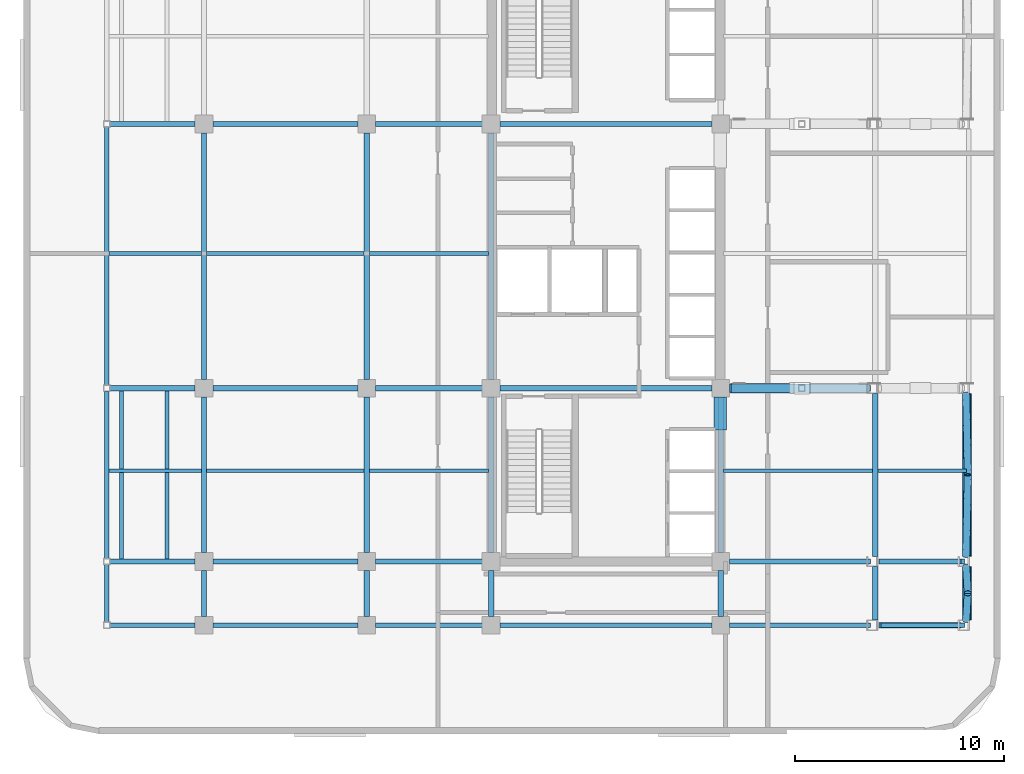
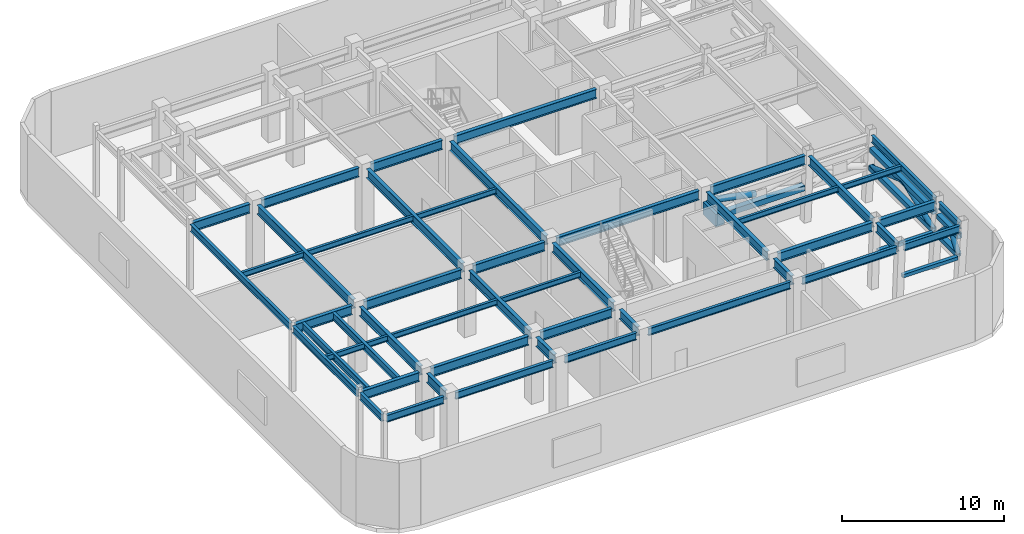
# One storey, part 4 of 14: 49 beams, 12 members.
"""IFC4 building model written with IfcOpenShell, lengths in metres."""

from ifc_helpers import new_model, si_unit, direction, frame, origin, origin_2d, place, context, subcontext, project, spatial, rectangle, hollow_rectangle, hollow_circle, i_section, extrude, material, material_profile, profile_set, type_object, element, save


model = new_model("IFC4")

# Units and contexts
model_context = context("Model", 3, precision=1e-05, world=origin(), true_north=direction((0.0, 1.0)))
body_context = subcontext(model_context, "Body", "Model", "MODEL_VIEW")
ifc_project = project(units=[si_unit("LENGTHUNIT", "METRE"), si_unit("AREAUNIT", "SQUARE_METRE"), si_unit("VOLUMEUNIT", "CUBIC_METRE"), si_unit("PLANEANGLEUNIT", "RADIAN"), si_unit("MASSUNIT", "GRAM", prefix="KILO")], contexts=[model_context])

# Site, building, storey
site_placement = place(None, origin())
site = spatial("IfcSite", under=ifc_project, at=site_placement, CompositionType="ELEMENT")
building_placement = place(site_placement, origin())
building = spatial("IfcBuilding", under=site, at=building_placement, Name="Ochreholt Gables", CompositionType="ELEMENT")
storey_placement = place(building_placement, frame((0.0, 0.0, 71.39990234375)))
storey = spatial("IfcBuildingStorey", under=building, at=storey_placement, Name="L18", CompositionType="ELEMENT", Elevation=71.39990234375)

# Beams
ifc_material_1 = material(Name="Concrete 60 MPa", Category="concrete")
ifc_material_profile_1 = material_profile(ifc_material_1, rectangle(XDim=0.60009765625, YDim=0.949951171875, at=origin_2d()), Name="RCB600X950")
ifc_profile_set_1 = profile_set([ifc_material_profile_1], Name="Concrete 60 MPa")
beam_type_1 = type_object("IfcBeamType", Name="BM-CPL-RC600", PredefinedType="LINTEL", material=ifc_profile_set_1)
beam_1_placement = place(storey_placement, frame((35.175048828125, 15.550048828125, 3.822021484375), z_axis=(0.0, 1.0, 0.0), x_axis=(-1.0, 0.0, 0.0)))
element("IfcBeam", 1, at=beam_1_placement, inside=storey, type_object=beam_type_1, Name="L18 Core Coupling Lintel CPS", PredefinedType="LINTEL", context=body_context, shape_type="SweptSolid", body=[
    extrude(rectangle(XDim=0.60009765625, YDim=0.949951171875, at=origin_2d()), origin(), (0.0, 0.0, 1.0), 1.574951171875),
])
ifc_material_2 = material(Name="Steel CSA G40.21 350W", Category="steel")
ifc_material_profile_2 = material_profile(ifc_material_2, i_section(OverallWidth=0.2109375, OverallDepth=0.5390625, WebThickness=0.01171875, FlangeThickness=0.018798828125, at=origin_2d()), Name="W530X109")
ifc_profile_set_2 = profile_set([ifc_material_profile_2], Name="Steel CSA G40.21 350W")
beam_type_2 = type_object("IfcBeamType", Name="BM-G-W530A", PredefinedType="BEAM", material=ifc_profile_set_2)
for number, where, z_axis, x_axis, name in (
    (2, (6.5, 9.377685546875, 4.720703125), (0.0, 1.0, 0.0), (-1.0, 0.0, 0.0), "L18 Beam BTG-L18-19W1R"),
    (3, (8.679931640625, 9.377685546875, 4.720703125), (0.0, 1.0, 0.0), (-1.0, 0.0, 0.0), "L18 Beam BTG-L18-19W1E"),
):
    element("IfcBeam", number, at=place(storey_placement, frame(where, z_axis=z_axis, x_axis=x_axis)), inside=storey, type_object=beam_type_2, Name=name, PredefinedType="BEAM", context=body_context, shape_type="SweptSolid", body=[
        extrude(i_section(OverallWidth=0.2109375, OverallDepth=0.5390625, WebThickness=0.01171875, FlangeThickness=0.018798828125, at=origin_2d()), origin(), (0.0, 0.0, 1.0), 8.044677734375),
    ])
ifc_material_profile_3 = material_profile(ifc_material_2, i_section(OverallWidth=0.256103515625, OverallDepth=0.693115234375, WebThickness=0.014404296875, FlangeThickness=0.023681640625, at=origin_2d()), Name="W690X170")
ifc_profile_set_3 = profile_set([ifc_material_profile_3], Name="Steel CSA G40.21 350W")
beam_type_3 = type_object("IfcBeamType", Name="BM-G-W690", PredefinedType="BEAM", material=ifc_profile_set_3)
beam_2_placement = place(storey_placement, frame((5.9521484375, 9.25, 4.6435546875), z_axis=(1.0, 0.0, 0.0), x_axis=(0.0, 1.0, 0.0)))
element("IfcBeam", 4, at=beam_2_placement, inside=storey, type_object=beam_type_3, Name="L18 Beam TBG-L18-WTW2-Y2", PredefinedType="BEAM", context=body_context, shape_type="SweptSolid", body=[
    extrude(i_section(OverallWidth=0.256103515625, OverallDepth=0.693115234375, WebThickness=0.014404296875, FlangeThickness=0.023681640625, at=origin_2d()), origin(), (0.0, 0.0, 1.0), 4.0732421875),
])
beam_3_placement = place(storey_placement, frame((10.87451171875, 9.25, 4.6435546875), z_axis=(1.0, 0.0, 0.0), x_axis=(0.0, 1.0, 0.0)))
element("IfcBeam", 5, at=beam_3_placement, inside=storey, type_object=beam_type_3, Name="L18 Beam TBG-L18-W2W3-Y2", PredefinedType="BEAM", context=body_context, shape_type="SweptSolid", body=[
    extrude(i_section(OverallWidth=0.256103515625, OverallDepth=0.693115234375, WebThickness=0.014404296875, FlangeThickness=0.023681640625, at=origin_2d()), origin(), (0.0, 0.0, 1.0), 6.950927734375),
])
beam_4_placement = place(storey_placement, frame((18.674560546875, 9.25, 4.6435546875), z_axis=(1.0, 0.0, 0.0), x_axis=(0.0, 1.0, 0.0)))
element("IfcBeam", 6, at=beam_4_placement, inside=storey, type_object=beam_type_3, Name="L18 Beam TBG-L18-W3C1-Y2", PredefinedType="BEAM", context=body_context, shape_type="SweptSolid", body=[
    extrude(i_section(OverallWidth=0.256103515625, OverallDepth=0.693115234375, WebThickness=0.014404296875, FlangeThickness=0.023681640625, at=origin_2d()), origin(), (0.0, 0.0, 1.0), 5.100830078125),
])
beam_5_placement = place(storey_placement, frame((35.62451171875, 9.25, 4.6435546875), z_axis=(1.0, 0.0, 0.0), x_axis=(0.0, 1.0, 0.0)))
element("IfcBeam", 7, at=beam_5_placement, inside=storey, type_object=beam_type_3, Name="L18 Beam TBG-L18-C2EM-Y2", PredefinedType="BEAM", context=body_context, shape_type="SweptSolid", body=[
    extrude(i_section(OverallWidth=0.256103515625, OverallDepth=0.693115234375, WebThickness=0.014404296875, FlangeThickness=0.023681640625, at=origin_2d()), origin(), (0.0, 0.0, 1.0), 6.75),
])
beam_6_placement = place(storey_placement, frame((42.87353515625, 9.25, 4.6435546875), z_axis=(1.0, 0.0, 0.0), x_axis=(0.0, 1.0, 0.0)))
element("IfcBeam", 8, at=beam_6_placement, inside=storey, type_object=beam_type_3, Name="L18 Beam TBG-L18-EMEE-Y2", PredefinedType="BEAM", context=body_context, shape_type="SweptSolid", body=[
    extrude(i_section(OverallWidth=0.256103515625, OverallDepth=0.693115234375, WebThickness=0.014404296875, FlangeThickness=0.023681640625, at=origin_2d()), origin(), (0.0, 0.0, 1.0), 3.988037109375),
])
beam_7_placement = place(storey_placement, frame((5.9521484375, 17.550048828125, 4.6435546875), z_axis=(1.0, 0.0, 0.0), x_axis=(0.0, 1.0, 0.0)))
element("IfcBeam", 9, at=beam_7_placement, inside=storey, type_object=beam_type_3, Name="L18 Beam TBG-L18-WTW2-Y3", PredefinedType="BEAM", context=body_context, shape_type="SweptSolid", body=[
    extrude(i_section(OverallWidth=0.256103515625, OverallDepth=0.693115234375, WebThickness=0.014404296875, FlangeThickness=0.023681640625, at=origin_2d()), origin(), (0.0, 0.0, 1.0), 4.0732421875),
])
beam_8_placement = place(storey_placement, frame((10.87451171875, 17.550048828125, 4.6435546875), z_axis=(1.0, 0.0, 0.0), x_axis=(0.0, 1.0, 0.0)))
element("IfcBeam", 10, at=beam_8_placement, inside=storey, type_object=beam_type_3, Name="L18 Beam TBG-L18-W2W3-Y3", PredefinedType="BEAM", context=body_context, shape_type="SweptSolid", body=[
    extrude(i_section(OverallWidth=0.256103515625, OverallDepth=0.693115234375, WebThickness=0.014404296875, FlangeThickness=0.023681640625, at=origin_2d()), origin(), (0.0, 0.0, 1.0), 6.950927734375),
])
beam_9_placement = place(storey_placement, frame((18.674560546875, 17.550048828125, 4.6435546875), z_axis=(1.0, 0.0, 0.0), x_axis=(0.0, 1.0, 0.0)))
element("IfcBeam", 11, at=beam_9_placement, inside=storey, type_object=beam_type_3, Name="L18 Beam TBG-L18-W3C1-Y3", PredefinedType="BEAM", context=body_context, shape_type="SweptSolid", body=[
    extrude(i_section(OverallWidth=0.256103515625, OverallDepth=0.693115234375, WebThickness=0.014404296875, FlangeThickness=0.023681640625, at=origin_2d()), origin(), (0.0, 0.0, 1.0), 5.100830078125),
])
beam_10_placement = place(storey_placement, frame((24.62451171875, 17.550048828125, 4.6435546875), z_axis=(1.0, 0.0, 0.0), x_axis=(0.0, 1.0, 0.0)))
element("IfcBeam", 12, at=beam_10_placement, inside=storey, type_object=beam_type_3, Name="L18 Beam TBG-L18-C1C2-Y3", PredefinedType="BEAM", context=body_context, shape_type="SweptSolid", body=[
    extrude(i_section(OverallWidth=0.256103515625, OverallDepth=0.693115234375, WebThickness=0.014404296875, FlangeThickness=0.023681640625, at=origin_2d()), origin(), (0.0, 0.0, 1.0), 10.15087890625),
])
beam_11_placement = place(storey_placement, frame((35.62451171875, 17.550048828125, 4.6435546875), z_axis=(1.0, 0.0, 0.0), x_axis=(0.0, 1.0, 0.0)))
element("IfcBeam", 13, at=beam_11_placement, inside=storey, type_object=beam_type_3, Name="L18 Beam TBG-L18-C2EM-Y3", PredefinedType="BEAM", context=body_context, shape_type="SweptSolid", body=[
    extrude(i_section(OverallWidth=0.256103515625, OverallDepth=0.693115234375, WebThickness=0.014404296875, FlangeThickness=0.023681640625, at=origin_2d()), origin(), (0.0, 0.0, 1.0), 6.75),
])
beam_12_placement = place(storey_placement, frame((5.9521484375, 30.199951171875, 4.6435546875), z_axis=(1.0, 0.0, 0.0), x_axis=(0.0, 1.0, 0.0)))
element("IfcBeam", 14, at=beam_12_placement, inside=storey, type_object=beam_type_3, Name="L18 Beam TBG-L18-WTW2-Y4", PredefinedType="BEAM", context=body_context, shape_type="SweptSolid", body=[
    extrude(i_section(OverallWidth=0.256103515625, OverallDepth=0.693115234375, WebThickness=0.014404296875, FlangeThickness=0.023681640625, at=origin_2d()), origin(), (0.0, 0.0, 1.0), 4.0732421875),
])
beam_13_placement = place(storey_placement, frame((10.87451171875, 30.199951171875, 4.6435546875), z_axis=(1.0, 0.0, 0.0), x_axis=(0.0, 1.0, 0.0)))
element("IfcBeam", 15, at=beam_13_placement, inside=storey, type_object=beam_type_3, Name="L18 Beam TBG-L18-W2W3-Y4", PredefinedType="BEAM", context=body_context, shape_type="SweptSolid", body=[
    extrude(i_section(OverallWidth=0.256103515625, OverallDepth=0.693115234375, WebThickness=0.014404296875, FlangeThickness=0.023681640625, at=origin_2d()), origin(), (0.0, 0.0, 1.0), 6.950927734375),
])
beam_14_placement = place(storey_placement, frame((18.674560546875, 30.199951171875, 4.6435546875), z_axis=(1.0, 0.0, 0.0), x_axis=(0.0, 1.0, 0.0)))
element("IfcBeam", 16, at=beam_14_placement, inside=storey, type_object=beam_type_3, Name="L18 Beam TBG-L18-W3C1-Y4", PredefinedType="BEAM", context=body_context, shape_type="SweptSolid", body=[
    extrude(i_section(OverallWidth=0.256103515625, OverallDepth=0.693115234375, WebThickness=0.014404296875, FlangeThickness=0.023681640625, at=origin_2d()), origin(), (0.0, 0.0, 1.0), 5.100830078125),
])
beam_15_placement = place(storey_placement, frame((24.62451171875, 30.199951171875, 4.6435546875), z_axis=(1.0, 0.0, 0.0), x_axis=(0.0, 1.0, 0.0)))
element("IfcBeam", 17, at=beam_15_placement, inside=storey, type_object=beam_type_3, Name="L18 Beam TBG-L18-C1C2-Y4", PredefinedType="BEAM", context=body_context, shape_type="SweptSolid", body=[
    extrude(i_section(OverallWidth=0.256103515625, OverallDepth=0.693115234375, WebThickness=0.014404296875, FlangeThickness=0.023681640625, at=origin_2d()), origin(), (0.0, 0.0, 1.0), 10.15087890625),
])
beam_16_placement = place(storey_placement, frame((10.449951171875, 6.62451171875, 4.6435546875), z_axis=(0.0, 1.0, 0.0), x_axis=(-1.0, 0.0, 0.0)))
element("IfcBeam", 18, at=beam_16_placement, inside=storey, type_object=beam_type_3, Name="L18 Beam TBN-L18-W2-Y1Y2", PredefinedType="BEAM", context=body_context, shape_type="SweptSolid", body=[
    extrude(i_section(OverallWidth=0.256103515625, OverallDepth=0.693115234375, WebThickness=0.014404296875, FlangeThickness=0.023681640625, at=origin_2d()), origin(), (0.0, 0.0, 1.0), 2.200927734375),
])
beam_17_placement = place(storey_placement, frame((10.449951171875, 9.674560546875, 4.6435546875), z_axis=(0.0, 1.0, 0.0), x_axis=(-1.0, 0.0, 0.0)))
element("IfcBeam", 19, at=beam_17_placement, inside=storey, type_object=beam_type_3, Name="L18 Beam TBN-L18-W2-Y2Y3", PredefinedType="BEAM", context=body_context, shape_type="SweptSolid", body=[
    extrude(i_section(OverallWidth=0.256103515625, OverallDepth=0.693115234375, WebThickness=0.014404296875, FlangeThickness=0.023681640625, at=origin_2d()), origin(), (0.0, 0.0, 1.0), 7.450927734375),
])
beam_18_placement = place(storey_placement, frame((10.449951171875, 17.974609375, 4.6435546875), z_axis=(0.0, 1.0, 0.0), x_axis=(-1.0, 0.0, 0.0)))
element("IfcBeam", 20, at=beam_18_placement, inside=storey, type_object=beam_type_3, Name="L18 Beam TBN-L18-W2-Y3Y4", PredefinedType="BEAM", context=body_context, shape_type="SweptSolid", body=[
    extrude(i_section(OverallWidth=0.256103515625, OverallDepth=0.693115234375, WebThickness=0.014404296875, FlangeThickness=0.023681640625, at=origin_2d()), origin(), (0.0, 0.0, 1.0), 11.80078125),
])
beam_19_placement = place(storey_placement, frame((18.25, 6.62451171875, 4.6435546875), z_axis=(0.0, 1.0, 0.0), x_axis=(-1.0, 0.0, 0.0)))
element("IfcBeam", 21, at=beam_19_placement, inside=storey, type_object=beam_type_3, Name="L18 Beam TBN-L18-W3-Y1Y2", PredefinedType="BEAM", context=body_context, shape_type="SweptSolid", body=[
    extrude(i_section(OverallWidth=0.256103515625, OverallDepth=0.693115234375, WebThickness=0.014404296875, FlangeThickness=0.023681640625, at=origin_2d()), origin(), (0.0, 0.0, 1.0), 2.200927734375),
])
beam_20_placement = place(storey_placement, frame((18.25, 9.674560546875, 4.6435546875), z_axis=(0.0, 1.0, 0.0), x_axis=(-1.0, 0.0, 0.0)))
element("IfcBeam", 22, at=beam_20_placement, inside=storey, type_object=beam_type_3, Name="L18 Beam TBN-L18-W3-Y2Y3", PredefinedType="BEAM", context=body_context, shape_type="SweptSolid", body=[
    extrude(i_section(OverallWidth=0.256103515625, OverallDepth=0.693115234375, WebThickness=0.014404296875, FlangeThickness=0.023681640625, at=origin_2d()), origin(), (0.0, 0.0, 1.0), 7.450927734375),
])
beam_21_placement = place(storey_placement, frame((18.25, 17.974609375, 4.6435546875), z_axis=(0.0, 1.0, 0.0), x_axis=(-1.0, 0.0, 0.0)))
element("IfcBeam", 23, at=beam_21_placement, inside=storey, type_object=beam_type_3, Name="L18 Beam TBN-L18-W3-Y3Y4", PredefinedType="BEAM", context=body_context, shape_type="SweptSolid", body=[
    extrude(i_section(OverallWidth=0.256103515625, OverallDepth=0.693115234375, WebThickness=0.014404296875, FlangeThickness=0.023681640625, at=origin_2d()), origin(), (0.0, 0.0, 1.0), 11.80078125),
])
beam_22_placement = place(storey_placement, frame((24.199951171875, 6.62451171875, 4.6435546875), z_axis=(0.0, 1.0, 0.0), x_axis=(-1.0, 0.0, 0.0)))
element("IfcBeam", 24, at=beam_22_placement, inside=storey, type_object=beam_type_3, Name="L18 Beam TBN-L18-C1-Y1Y2", PredefinedType="BEAM", context=body_context, shape_type="SweptSolid", body=[
    extrude(i_section(OverallWidth=0.256103515625, OverallDepth=0.693115234375, WebThickness=0.014404296875, FlangeThickness=0.023681640625, at=origin_2d()), origin(), (0.0, 0.0, 1.0), 2.200927734375),
])
beam_23_placement = place(storey_placement, frame((24.199951171875, 9.674560546875, 4.6435546875), z_axis=(0.0, 1.0, 0.0), x_axis=(-1.0, 0.0, 0.0)))
element("IfcBeam", 25, at=beam_23_placement, inside=storey, type_object=beam_type_3, Name="L18 Beam TBN-L18-C1-Y2Y3", PredefinedType="BEAM", context=body_context, shape_type="SweptSolid", body=[
    extrude(i_section(OverallWidth=0.256103515625, OverallDepth=0.693115234375, WebThickness=0.014404296875, FlangeThickness=0.023681640625, at=origin_2d()), origin(), (0.0, 0.0, 1.0), 7.450927734375),
])
beam_24_placement = place(storey_placement, frame((24.199951171875, 17.974609375, 4.6435546875), z_axis=(0.0, 1.0, 0.0), x_axis=(-1.0, 0.0, 0.0)))
element("IfcBeam", 26, at=beam_24_placement, inside=storey, type_object=beam_type_3, Name="L18 Beam TBN-L18-C1-Y3Y4", PredefinedType="BEAM", context=body_context, shape_type="SweptSolid", body=[
    extrude(i_section(OverallWidth=0.256103515625, OverallDepth=0.693115234375, WebThickness=0.014404296875, FlangeThickness=0.023681640625, at=origin_2d()), origin(), (0.0, 0.0, 1.0), 11.80078125),
])
beam_25_placement = place(storey_placement, frame((35.199951171875, 6.62451171875, 4.6435546875), z_axis=(0.0, 1.0, 0.0), x_axis=(-1.0, 0.0, 0.0)))
element("IfcBeam", 27, at=beam_25_placement, inside=storey, type_object=beam_type_3, Name="L18 Beam TBN-L18-C2-Y1Y2", PredefinedType="BEAM", context=body_context, shape_type="SweptSolid", body=[
    extrude(i_section(OverallWidth=0.256103515625, OverallDepth=0.693115234375, WebThickness=0.014404296875, FlangeThickness=0.023681640625, at=origin_2d()), origin(), (0.0, 0.0, 1.0), 2.200927734375),
])
beam_26_placement = place(storey_placement, frame((35.199951171875, 9.674560546875, 4.6435546875), z_axis=(0.0, 1.0, 0.0), x_axis=(-1.0, 0.0, 0.0)))
element("IfcBeam", 28, at=beam_26_placement, inside=storey, type_object=beam_type_3, Name="L18 Beam TBN-L18-C2-Y2Y3", PredefinedType="BEAM", context=body_context, shape_type="SweptSolid", body=[
    extrude(i_section(OverallWidth=0.256103515625, OverallDepth=0.693115234375, WebThickness=0.014404296875, FlangeThickness=0.023681640625, at=origin_2d()), origin(), (0.0, 0.0, 1.0), 7.450927734375),
])
beam_27_placement = place(storey_placement, frame((42.600830078125, 6.44970703125, 4.6435546875), z_axis=(0.0, 1.0, 0.0), x_axis=(-1.0, 0.0, 0.0)))
element("IfcBeam", 29, at=beam_27_placement, inside=storey, type_object=beam_type_3, Name="L18 Beam TBN-L18-EM-Y1Y2", PredefinedType="BEAM", context=body_context, shape_type="SweptSolid", body=[
    extrude(i_section(OverallWidth=0.256103515625, OverallDepth=0.693115234375, WebThickness=0.014404296875, FlangeThickness=0.023681640625, at=origin_2d()), origin(), (0.0, 0.0, 1.0), 2.55078125),
])
beam_28_placement = place(storey_placement, frame((42.600830078125, 9.49951171875, 4.6435546875), z_axis=(0.0, 1.0, 0.0), x_axis=(-1.0, 0.0, 0.0)))
element("IfcBeam", 30, at=beam_28_placement, inside=storey, type_object=beam_type_3, Name="L18 Beam TBN-L18-EM-Y2Y3", PredefinedType="BEAM", context=body_context, shape_type="SweptSolid", body=[
    extrude(i_section(OverallWidth=0.256103515625, OverallDepth=0.693115234375, WebThickness=0.014404296875, FlangeThickness=0.023681640625, at=origin_2d()), origin(), (0.0, 0.0, 1.0), 7.80078125),
])
ifc_material_profile_4 = material_profile(ifc_material_2, i_section(OverallWidth=0.178955078125, OverallDepth=0.409912109375, WebThickness=0.0087890625, FlangeThickness=0.014404296875, at=origin_2d()), Name="W410X67")
ifc_profile_set_4 = profile_set([ifc_material_profile_4], Name="Steel CSA G40.21 350W")
beam_type_4 = type_object("IfcBeamType", Name="BM-J-W410", PredefinedType="JOIST", material=ifc_profile_set_4)
beam_29_placement = place(storey_placement, frame((5.904052734375, 13.60009765625, 4.78515625), z_axis=(1.0, 0.0, 0.0), x_axis=(0.0, 1.0, 0.0)))
element("IfcBeam", 31, at=beam_29_placement, inside=storey, type_object=beam_type_4, Name="L18 Beam TBJ-L18-J1-WTW2", PredefinedType="JOIST", context=body_context, shape_type="SweptSolid", body=[
    extrude(i_section(OverallWidth=0.178955078125, OverallDepth=0.409912109375, WebThickness=0.0087890625, FlangeThickness=0.014404296875, at=origin_2d()), origin(), (0.0, 0.0, 1.0), 4.41845703125),
])
beam_30_placement = place(storey_placement, frame((10.57763671875, 13.60009765625, 4.78515625), z_axis=(1.0, 0.0, 0.0), x_axis=(0.0, 1.0, 0.0)))
element("IfcBeam", 32, at=beam_30_placement, inside=storey, type_object=beam_type_4, Name="L18 Beam TBJ-L18-J1-W2W3", PredefinedType="JOIST", context=body_context, shape_type="SweptSolid", body=[
    extrude(i_section(OverallWidth=0.178955078125, OverallDepth=0.409912109375, WebThickness=0.0087890625, FlangeThickness=0.014404296875, at=origin_2d()), origin(), (0.0, 0.0, 1.0), 7.544677734375),
])
beam_31_placement = place(storey_placement, frame((18.377685546875, 13.60009765625, 4.78515625), z_axis=(1.0, 0.0, 0.0), x_axis=(0.0, 1.0, 0.0)))
element("IfcBeam", 33, at=beam_31_placement, inside=storey, type_object=beam_type_4, Name="L18 Beam TBJ-L18-J1-W3C1", PredefinedType="JOIST", context=body_context, shape_type="SweptSolid", body=[
    extrude(i_section(OverallWidth=0.178955078125, OverallDepth=0.409912109375, WebThickness=0.0087890625, FlangeThickness=0.014404296875, at=origin_2d()), origin(), (0.0, 0.0, 1.0), 5.69482421875),
])
beam_32_placement = place(storey_placement, frame((35.32763671875, 13.60009765625, 4.78515625), z_axis=(1.0, 0.0, 0.0), x_axis=(0.0, 1.0, 0.0)))
element("IfcBeam", 34, at=beam_32_placement, inside=storey, type_object=beam_type_4, Name="L18 Beam TBJ-L18-J1-C2EM", PredefinedType="JOIST", context=body_context, shape_type="SweptSolid", body=[
    extrude(i_section(OverallWidth=0.178955078125, OverallDepth=0.409912109375, WebThickness=0.0087890625, FlangeThickness=0.014404296875, at=origin_2d()), origin(), (0.0, 0.0, 1.0), 7.145751953125),
])
beam_33_placement = place(storey_placement, frame((42.728515625, 13.60009765625, 4.78515625), z_axis=(1.0, 0.0, 0.0), x_axis=(0.0, 1.0, 0.0)))
element("IfcBeam", 35, at=beam_33_placement, inside=storey, type_object=beam_type_4, Name="L18 Beam TBJ-L18-J1-EMEE", PredefinedType="JOIST", context=body_context, shape_type="SweptSolid", body=[
    extrude(i_section(OverallWidth=0.178955078125, OverallDepth=0.409912109375, WebThickness=0.0087890625, FlangeThickness=0.014404296875, at=origin_2d()), origin(), (0.0, 0.0, 1.0), 4.240234375),
])
beam_34_placement = place(storey_placement, frame((5.904052734375, 24.0, 4.78515625), z_axis=(1.0, 0.0, 0.0), x_axis=(0.0, 1.0, 0.0)))
element("IfcBeam", 36, at=beam_34_placement, inside=storey, type_object=beam_type_4, Name="L18 Beam TBJ-L18-J2-WTW2", PredefinedType="JOIST", context=body_context, shape_type="SweptSolid", body=[
    extrude(i_section(OverallWidth=0.178955078125, OverallDepth=0.409912109375, WebThickness=0.0087890625, FlangeThickness=0.014404296875, at=origin_2d()), origin(), (0.0, 0.0, 1.0), 4.41845703125),
])
beam_35_placement = place(storey_placement, frame((10.57763671875, 24.0, 4.78515625), z_axis=(1.0, 0.0, 0.0), x_axis=(0.0, 1.0, 0.0)))
element("IfcBeam", 37, at=beam_35_placement, inside=storey, type_object=beam_type_4, Name="L18 Beam TBJ-L18-J2-W2W3", PredefinedType="JOIST", context=body_context, shape_type="SweptSolid", body=[
    extrude(i_section(OverallWidth=0.178955078125, OverallDepth=0.409912109375, WebThickness=0.0087890625, FlangeThickness=0.014404296875, at=origin_2d()), origin(), (0.0, 0.0, 1.0), 7.544677734375),
])
beam_36_placement = place(storey_placement, frame((18.377685546875, 24.0, 4.78515625), z_axis=(1.0, 0.0, 0.0), x_axis=(0.0, 1.0, 0.0)))
element("IfcBeam", 38, at=beam_36_placement, inside=storey, type_object=beam_type_4, Name="L18 Beam TBJ-L18-J2-W3C1", PredefinedType="JOIST", context=body_context, shape_type="SweptSolid", body=[
    extrude(i_section(OverallWidth=0.178955078125, OverallDepth=0.409912109375, WebThickness=0.0087890625, FlangeThickness=0.014404296875, at=origin_2d()), origin(), (0.0, 0.0, 1.0), 5.69482421875),
])
ifc_material_profile_5 = material_profile(ifc_material_2, i_section(OverallWidth=0.208984375, OverallDepth=0.532958984375, WebThickness=0.01025390625, FlangeThickness=0.015625, at=origin_2d()), Name="W530X92")
ifc_profile_set_5 = profile_set([ifc_material_profile_5], Name="Steel CSA G40.21 350W")
beam_type_5 = type_object("IfcBeamType", Name="BM-SP-W530B", PredefinedType="SPANDREL", material=ifc_profile_set_5)
beam_37_placement = place(storey_placement, frame((5.9521484375, 6.199951171875, 4.7236328125), z_axis=(1.0, 0.0, 0.0), x_axis=(0.0, 1.0, 0.0)))
element("IfcBeam", 39, at=beam_37_placement, inside=storey, type_object=beam_type_5, Name="L18 Beam TBG-L18-WTW2-Y1", PredefinedType="SPANDREL", context=body_context, shape_type="SweptSolid", body=[
    extrude(i_section(OverallWidth=0.208984375, OverallDepth=0.532958984375, WebThickness=0.01025390625, FlangeThickness=0.015625, at=origin_2d()), origin(), (0.0, 0.0, 1.0), 4.0732421875),
])
beam_38_placement = place(storey_placement, frame((10.87451171875, 6.199951171875, 4.7236328125), z_axis=(1.0, 0.0, 0.0), x_axis=(0.0, 1.0, 0.0)))
element("IfcBeam", 40, at=beam_38_placement, inside=storey, type_object=beam_type_5, Name="L18 Beam TBG-L18-W2W3-Y1", PredefinedType="SPANDREL", context=body_context, shape_type="SweptSolid", body=[
    extrude(i_section(OverallWidth=0.208984375, OverallDepth=0.532958984375, WebThickness=0.01025390625, FlangeThickness=0.015625, at=origin_2d()), origin(), (0.0, 0.0, 1.0), 6.950927734375),
])
beam_39_placement = place(storey_placement, frame((18.674560546875, 6.199951171875, 4.7236328125), z_axis=(1.0, 0.0, 0.0), x_axis=(0.0, 1.0, 0.0)))
element("IfcBeam", 41, at=beam_39_placement, inside=storey, type_object=beam_type_5, Name="L18 Beam TBG-L18-W3C1-Y1", PredefinedType="SPANDREL", context=body_context, shape_type="SweptSolid", body=[
    extrude(i_section(OverallWidth=0.208984375, OverallDepth=0.532958984375, WebThickness=0.01025390625, FlangeThickness=0.015625, at=origin_2d()), origin(), (0.0, 0.0, 1.0), 5.100830078125),
])
beam_40_placement = place(storey_placement, frame((24.62451171875, 6.199951171875, 4.7236328125), z_axis=(1.0, 0.0, 0.0), x_axis=(0.0, 1.0, 0.0)))
element("IfcBeam", 42, at=beam_40_placement, inside=storey, type_object=beam_type_5, Name="L18 Beam TBG-L18-C1C2-Y1", PredefinedType="SPANDREL", context=body_context, shape_type="SweptSolid", body=[
    extrude(i_section(OverallWidth=0.208984375, OverallDepth=0.532958984375, WebThickness=0.01025390625, FlangeThickness=0.015625, at=origin_2d()), origin(), (0.0, 0.0, 1.0), 10.15087890625),
])
beam_41_placement = place(storey_placement, frame((35.62451171875, 6.199951171875, 4.7236328125), z_axis=(1.0, 0.0, 0.0), x_axis=(0.0, 1.0, 0.0)))
element("IfcBeam", 43, at=beam_41_placement, inside=storey, type_object=beam_type_5, Name="L18 Beam TBG-L18-C2EM-Y1", PredefinedType="SPANDREL", context=body_context, shape_type="SweptSolid", body=[
    extrude(i_section(OverallWidth=0.208984375, OverallDepth=0.532958984375, WebThickness=0.01025390625, FlangeThickness=0.015625, at=origin_2d()), origin(), (0.0, 0.0, 1.0), 6.75),
])
beam_42_placement = place(storey_placement, frame((42.87353515625, 6.199951171875, 4.7236328125), z_axis=(1.0, 0.0, 0.0), x_axis=(0.0, 1.0, 0.0)))
element("IfcBeam", 44, at=beam_42_placement, inside=storey, type_object=beam_type_5, Name="L18 Beam TBG-L18-EMEE-Y1", PredefinedType="SPANDREL", context=body_context, shape_type="SweptSolid", body=[
    extrude(i_section(OverallWidth=0.208984375, OverallDepth=0.532958984375, WebThickness=0.01025390625, FlangeThickness=0.015625, at=origin_2d()), origin(), (0.0, 0.0, 1.0), 3.988037109375),
])
beam_43_placement = place(storey_placement, frame((5.800048828125, 6.35205078125, 4.7236328125), z_axis=(0.0, 1.0, 0.0), x_axis=(-1.0, 0.0, 0.0)))
element("IfcBeam", 45, at=beam_43_placement, inside=storey, type_object=beam_type_5, Name="L18 Beam TBN-L18-WT-Y1Y2", PredefinedType="SPANDREL", context=body_context, shape_type="SweptSolid", body=[
    extrude(i_section(OverallWidth=0.208984375, OverallDepth=0.532958984375, WebThickness=0.01025390625, FlangeThickness=0.015625, at=origin_2d()), origin(), (0.0, 0.0, 1.0), 2.745849609375),
])
beam_44_placement = place(storey_placement, frame((5.800048828125, 9.402099609375, 4.7236328125), z_axis=(0.0, 1.0, 0.0), x_axis=(-1.0, 0.0, 0.0)))
element("IfcBeam", 46, at=beam_44_placement, inside=storey, type_object=beam_type_5, Name="L18 Beam TBN-L18-WT-Y2Y3", PredefinedType="SPANDREL", context=body_context, shape_type="SweptSolid", body=[
    extrude(i_section(OverallWidth=0.208984375, OverallDepth=0.532958984375, WebThickness=0.01025390625, FlangeThickness=0.015625, at=origin_2d()), origin(), (0.0, 0.0, 1.0), 7.995849609375),
])
beam_45_placement = place(storey_placement, frame((5.800048828125, 17.7021484375, 4.7236328125), z_axis=(0.0, 1.0, 0.0), x_axis=(-1.0, 0.0, 0.0)))
element("IfcBeam", 47, at=beam_45_placement, inside=storey, type_object=beam_type_5, Name="L18 Beam TBN-L18-WT-Y3Y4", PredefinedType="SPANDREL", context=body_context, shape_type="SweptSolid", body=[
    extrude(i_section(OverallWidth=0.208984375, OverallDepth=0.532958984375, WebThickness=0.01025390625, FlangeThickness=0.015625, at=origin_2d()), origin(), (0.0, 0.0, 1.0), 12.345703125),
])
beam_46_placement = place(storey_placement, frame((47.072998046875, 6.44970703125, 4.7236328125), z_axis=(0.0, 1.0, 0.0), x_axis=(-1.0, 0.0, 0.0)))
element("IfcBeam", 48, at=beam_46_placement, inside=storey, type_object=beam_type_5, Name="L18 Beam TBN-L18-EE-Y1Y2", PredefinedType="SPANDREL", context=body_context, shape_type="SweptSolid", body=[
    extrude(i_section(OverallWidth=0.208984375, OverallDepth=0.532958984375, WebThickness=0.01025390625, FlangeThickness=0.015625, at=origin_2d()), origin(), (0.0, 0.0, 1.0), 2.55078125),
])
beam_47_placement = place(storey_placement, frame((47.072998046875, 9.49951171875, 4.7236328125), z_axis=(0.0, 1.0, 0.0), x_axis=(-1.0, 0.0, 0.0)))
element("IfcBeam", 49, at=beam_47_placement, inside=storey, type_object=beam_type_5, Name="L18 Beam TBN-L18-EE-Y2Y3", PredefinedType="SPANDREL", context=body_context, shape_type="SweptSolid", body=[
    extrude(i_section(OverallWidth=0.208984375, OverallDepth=0.532958984375, WebThickness=0.01025390625, FlangeThickness=0.015625, at=origin_2d()), origin(), (0.0, 0.0, 1.0), 7.80078125),
])

# Members
ifc_material_profile_6 = material_profile(ifc_material_2, hollow_circle(Radius=0.177978515625, WallThickness=0.0126953125, at=origin_2d()), Name="CHS356X13")
ifc_profile_set_6 = profile_set([ifc_material_profile_6], Name="Steel CSA G40.21 350W")
member_type_1 = type_object("IfcMemberType", Name="MEM-BL-BR2", PredefinedType="BRACE", material=ifc_profile_set_6)
for number, where, z_axis, x_axis, name in (
    (50, (46.94873046875, 6.44970703125, 2.60009765625), (0.041728018373, 0.694226649625, 0.718545845046), (-0.998198442536, 0.059998910979, 0.0), "L18 Belt Truss Diagonal 1A"),
    (51, (46.94873046875, 9.00048828125, 2.60009765625), (0.041728018373, -0.694226649625, 0.718545845046), (0.998198442536, 0.059998910979, 0.0), "L18 Belt Truss Diagonal 1B"),
):
    element("IfcMember", number, at=place(storey_placement, frame(where, z_axis=z_axis, x_axis=x_axis)), inside=storey, type_object=member_type_1, Name=name, PredefinedType="BRACE", context=body_context, shape_type="SweptSolid", body=[
        extrude(hollow_circle(Radius=0.177978515625, WallThickness=0.0126953125, at=origin_2d()), origin(), (0.0, 0.0, 1.0), 1.837158203125),
    ])
for number, where, z_axis, x_axis, name in (
    (52, (46.94873046875, 9.49951171875, 2.60009765625), (0.018613906024, 0.9470565689, 0.320526719332), (-0.999806906616, 0.019650686572, 0.0), "L18 Belt Truss Diagonal 2A"),
    (53, (46.94873046875, 17.30029296875, 2.60009765625), (0.018613906024, -0.9470565689, 0.320526719332), (0.999806906616, 0.019650686572, 0.0), "L18 Belt Truss Diagonal 2B"),
):
    element("IfcMember", number, at=place(storey_placement, frame(where, z_axis=z_axis, x_axis=x_axis)), inside=storey, type_object=member_type_1, Name=name, PredefinedType="BRACE", context=body_context, shape_type="SweptSolid", body=[
        extrude(hollow_circle(Radius=0.177978515625, WallThickness=0.0126953125, at=origin_2d()), origin(), (0.0, 0.0, 1.0), 4.118408203125),
    ])
ifc_material_profile_7 = material_profile(ifc_material_2, hollow_rectangle(XDim=0.35595703125, YDim=0.35595703125, WallThickness=0.01611328125, at=origin_2d()), Name="HSS356X356X16")
ifc_profile_set_7 = profile_set([ifc_material_profile_7], Name="Steel CSA G40.21 350W")
member_type_2 = type_object("IfcMemberType", Name="MEM-BL-CH2", PredefinedType="CHORD", material=ifc_profile_set_7)
for number, where, z_axis, x_axis, name in (
    (54, (46.94873046875, 6.44970703125, 2.60009765625), (0.0, 1.0, 0.0), (-1.0, 0.0, 0.0), "L18 Belt Truss Bottom Chord 1"),
    (55, (47.025390625, 6.44970703125, 3.920166015625), (0.0, 1.0, 0.0), (-1.0, 0.0, 0.0), "L18 Belt Truss Top Chord 1"),
):
    element("IfcMember", number, at=place(storey_placement, frame(where, z_axis=z_axis, x_axis=x_axis)), inside=storey, type_object=member_type_2, Name=name, PredefinedType="CHORD", context=body_context, shape_type="SweptSolid", body=[
        extrude(hollow_rectangle(XDim=0.35595703125, YDim=0.35595703125, WallThickness=0.01611328125, at=origin_2d()), origin(), (0.0, 0.0, 1.0), 2.55078125),
    ])
for number, where, z_axis, x_axis, name in (
    (56, (46.94873046875, 9.49951171875, 2.60009765625), (0.0, 1.0, 0.0), (-1.0, 0.0, 0.0), "L18 Belt Truss Bottom Chord 2"),
    (57, (47.025390625, 9.49951171875, 3.920166015625), (0.0, 1.0, 0.0), (-1.0, 0.0, 0.0), "L18 Belt Truss Top Chord 2"),
):
    element("IfcMember", number, at=place(storey_placement, frame(where, z_axis=z_axis, x_axis=x_axis)), inside=storey, type_object=member_type_2, Name=name, PredefinedType="CHORD", context=body_context, shape_type="SweptSolid", body=[
        extrude(hollow_rectangle(XDim=0.35595703125, YDim=0.35595703125, WallThickness=0.01611328125, at=origin_2d()), origin(), (0.0, 0.0, 1.0), 7.80078125),
    ])
ifc_material_profile_8 = material_profile(ifc_material_2, hollow_circle(Radius=0.228515625, WallThickness=0.01611328125, at=origin_2d()), Name="CHS457X16")
ifc_profile_set_8 = profile_set([ifc_material_profile_8], Name="Steel CSA G40.21 350W")
member_type_3 = type_object("IfcMemberType", Name="MEM-OU-BR1", PredefinedType="BRACE", material=ifc_profile_set_8)
member_1_placement = place(storey_placement, frame((38.810546875, 17.550048828125, 3.293212890625), z_axis=(-0.980595353833, 0.0, 0.19604273014), x_axis=(0.0, -1.0, 0.0)))
element("IfcMember", 58, at=member_1_placement, inside=storey, type_object=member_type_3, Name="L18 Outrigger Truss S Split Diagonal 2B", PredefinedType="BRACE", context=body_context, shape_type="SweptSolid", body=[
    extrude(hollow_circle(Radius=0.228515625, WallThickness=0.01611328125, at=origin_2d()), origin(), (0.0, 0.0, 1.0), 3.197998046875),
])
ifc_material_profile_9 = material_profile(ifc_material_2, hollow_rectangle(XDim=0.406005859375, YDim=0.406005859375, WallThickness=0.01611328125, at=origin_2d()), Name="HSS406X406X16")
ifc_profile_set_9 = profile_set([ifc_material_profile_9], Name="Steel CSA G40.21 350W")
member_type_4 = type_object("IfcMemberType", Name="MEM-OU-CH1", PredefinedType="CHORD", material=ifc_profile_set_9)
member_2_placement = place(storey_placement, frame((35.62451171875, 17.550048828125, 2.60009765625), z_axis=(1.0, 0.0, 0.0), x_axis=(0.0, 1.0, 0.0)))
element("IfcMember", 59, at=member_2_placement, inside=storey, type_object=member_type_4, Name="L18 Outrigger Truss S Bottom Chord 1", PredefinedType="CHORD", context=body_context, shape_type="SweptSolid", body=[
    extrude(hollow_rectangle(XDim=0.406005859375, YDim=0.406005859375, WallThickness=0.01611328125, at=origin_2d()), origin(), (0.0, 0.0, 1.0), 6.65185546875),
])
ifc_material_profile_10 = material_profile(ifc_material_2, hollow_rectangle(XDim=0.25390625, YDim=0.25390625, WallThickness=0.0126953125, at=origin_2d()), Name="HSS254X254X13")
ifc_profile_set_10 = profile_set([ifc_material_profile_10], Name="Steel CSA G40.21 350W")
member_type_5 = type_object("IfcMemberType", Name="MEM-TB-ST1", PredefinedType="STRUT", material=ifc_profile_set_10)
for number, where, z_axis, x_axis, name in (
    (60, (42.775634765625, 6.199951171875, 2.60009765625), (1.0, 0.0, 0.0), (0.0, 1.0, 0.0), "L18 Belt Lateral Tie Strut 1"),
    (61, (42.775634765625, 9.25, 2.60009765625), (1.0, 0.0, 0.0), (0.0, 1.0, 0.0), "L18 Belt Lateral Tie Strut 2"),
):
    element("IfcMember", number, at=place(storey_placement, frame(where, z_axis=z_axis, x_axis=x_axis)), inside=storey, type_object=member_type_5, Name=name, PredefinedType="STRUT", context=body_context, shape_type="SweptSolid", body=[
        extrude(hollow_rectangle(XDim=0.25390625, YDim=0.25390625, WallThickness=0.0126953125, at=origin_2d()), origin(), (0.0, 0.0, 1.0), 3.923583984375),
    ])

save(model, "model.ifc")
